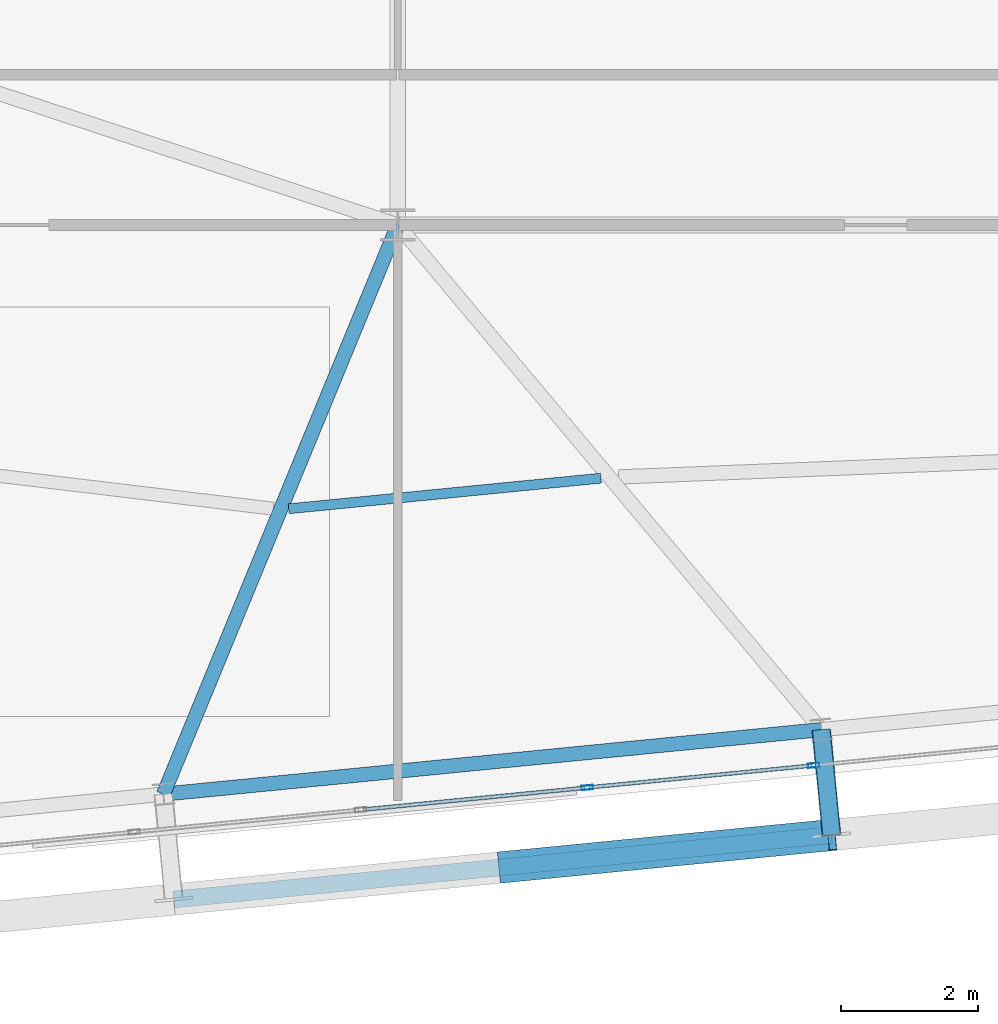
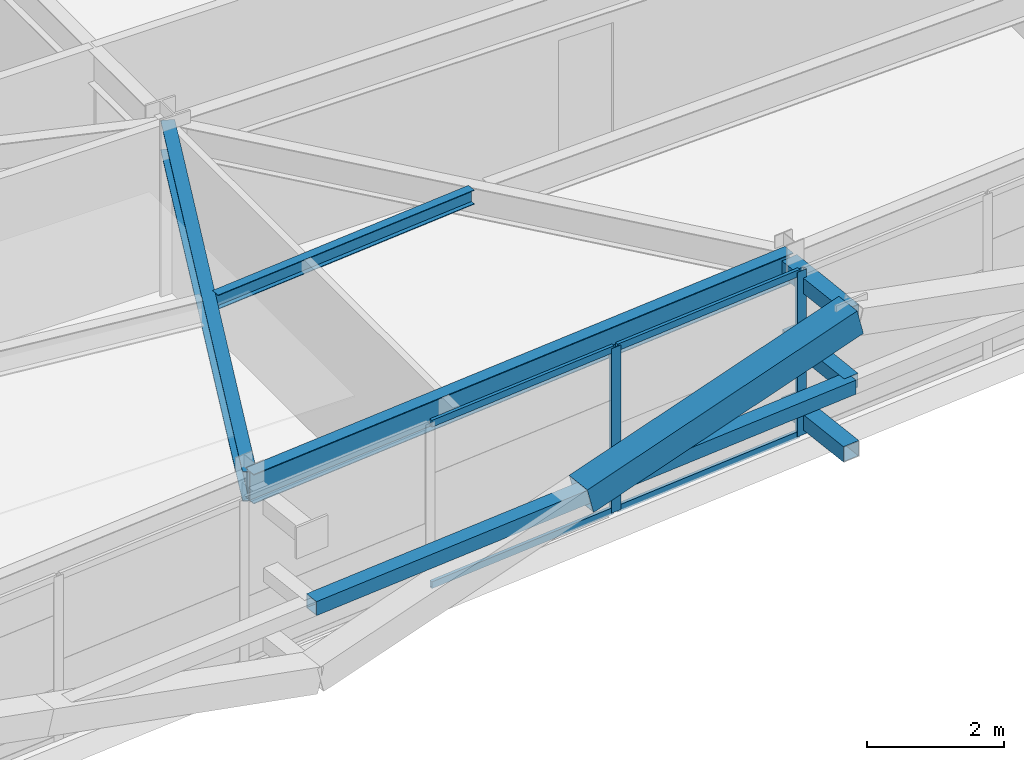
# One storey, part 11 of 51: 11 members, 3 beams, 1 element without a shape of its own.
"""IFC4 building model written with IfcOpenShell, lengths in metres."""

from ifc_helpers import new_model, si_unit, direction, frame, origin, origin_2d, place, context, subcontext, project, spatial, hollow_rectangle, i_section, extrude, source, transform, mapped, material, layer, layer_set, material_profile, profile_set, type_object, element, aggregate, save


model = new_model("IFC4")

# Units and contexts
model_context = context("Model", 3, precision=1e-05, world=origin(), true_north=direction((0.0, 1.0)))
body_context = subcontext(model_context, "Body", "Model", "MODEL_VIEW")
ifc_project = project(units=[si_unit("LENGTHUNIT", "METRE"), si_unit("AREAUNIT", "SQUARE_METRE"), si_unit("VOLUMEUNIT", "CUBIC_METRE"), si_unit("PLANEANGLEUNIT", "RADIAN"), si_unit("MASSUNIT", "GRAM", prefix="KILO")], contexts=[model_context])

# Site, building, storey
site_placement = place(None, origin())
site = spatial("IfcSite", under=ifc_project, at=site_placement, CompositionType="ELEMENT")
building_placement = place(site_placement, origin())
building = spatial("IfcBuilding", under=site, at=building_placement, Name="Taldren Reach Tower", CompositionType="ELEMENT")
storey_placement = place(building_placement, frame((0.0, 0.0, 65.10009765625)))
storey = spatial("IfcBuildingStorey", under=building, at=storey_placement, Name="L19", CompositionType="ELEMENT", Elevation=65.10009765625)

# Beams
ifc_material_1 = material(Name="Steel Gr 350 (350PLUS)", Category="steel")
ifc_material_profile_1 = material_profile(ifc_material_1, i_section(OverallWidth=0.208984375, OverallDepth=0.528076171875, WebThickness=0.009521484375, FlangeThickness=0.01318359375, at=origin_2d()), Name="530UB82.0")
ifc_profile_set_1 = profile_set([ifc_material_profile_1], Name="Steel Gr 350 (350PLUS)")
beam_type_1 = type_object("IfcBeamType", Name="SP-UB530B", PredefinedType="SPANDREL", material=ifc_profile_set_1)
shared_shape_1 = source(origin(), body_context, "Body", "SweptSolid", [
    extrude(i_section(OverallWidth=0.208984375, OverallDepth=0.528076171875, WebThickness=0.009521484375, FlangeThickness=0.01318359375, at=origin_2d()), origin(), (0.0, 0.0, 1.0), 9.679931640625),
])
beam_1_placement = place(storey_placement, frame((24.56787109375, 0.86474609375, 2.666015625), z_axis=(0.995227612658, 0.097580730699, 0.0), x_axis=(-0.097580730699, 0.995227612658, 0.0)))
element("IfcBeam", 1, at=beam_1_placement, inside=storey, type_object=beam_type_1, Name="Perimeter spandrel B2 S2-S3 L19", PredefinedType="SPANDREL", context=body_context, shape_type="MappedRepresentation", body=[
    mapped(shared_shape_1, transform((0.0, 0.0, 0.0), scale=1.0)),
])
ifc_material_profile_2 = material_profile(ifc_material_1, i_section(OverallWidth=0.208984375, OverallDepth=0.532958984375, WebThickness=0.01025390625, FlangeThickness=0.015625, at=origin_2d()), Name="530UB92.4")
ifc_profile_set_2 = profile_set([ifc_material_profile_2], Name="Steel Gr 350 (350PLUS)")
beam_type_2 = type_object("IfcBeamType", Name="BM-UB530A", PredefinedType="BEAM", material=ifc_profile_set_2)
shared_shape_2 = source(origin(), body_context, "Body", "SweptSolid", [
    extrude(i_section(OverallWidth=0.208984375, OverallDepth=0.532958984375, WebThickness=0.01025390625, FlangeThickness=0.015625, at=origin_2d()), origin(), (0.0, 0.0, 1.0), 9.01416015625),
])
beam_2_placement = place(storey_placement, frame((28.0, 9.199951171875, 2.663330078125), z_axis=(-0.380748443035, -0.924678659387, 0.0), x_axis=(0.924678659387, -0.380748443035, 0.0)))
element("IfcBeam", 2, at=beam_2_placement, inside=storey, type_object=beam_type_2, Name="Primary floor girder B2-S2 L19", PredefinedType="BEAM", context=body_context, shape_type="MappedRepresentation", body=[
    mapped(shared_shape_2, transform((0.0, 0.0, 0.0), scale=1.0)),
])
ifc_material_2 = material(Name="Steel Gr 300 (300PLUS, 300 MPa)", Category="steel")
ifc_material_profile_3 = material_profile(ifc_material_2, i_section(OverallWidth=0.14599609375, OverallDepth=0.256103515625, WebThickness=0.00634765625, FlangeThickness=0.010986328125, at=origin_2d()), Name="250UB37.3")
ifc_profile_set_3 = profile_set([ifc_material_profile_3], Name="Steel Gr 300 (300PLUS, 300 MPa)")
beam_type_3 = type_object("IfcBeamType", Name="JS-UB250", PredefinedType="JOIST", material=ifc_profile_set_3)
shared_shape_3 = source(origin(), body_context, "Body", "SweptSolid", [
    extrude(i_section(OverallWidth=0.14599609375, OverallDepth=0.256103515625, WebThickness=0.00634765625, FlangeThickness=0.010986328125, at=origin_2d()), origin(), (0.0, 0.0, 1.0), 4.594970703125),
])
beam_3_placement = place(storey_placement, frame((26.40185546875, 5.0439453125, 2.802001953125), z_axis=(0.995230447096, 0.097551817888, 0.0), x_axis=(-0.097551817888, 0.995230447096, 0.0)))
element("IfcBeam", 3, at=beam_3_placement, inside=storey, type_object=beam_type_3, Name="Secondary floor joist B2 J2 L19", PredefinedType="JOIST", context=body_context, shape_type="MappedRepresentation", body=[
    mapped(shared_shape_3, transform((0.0, 0.0, 0.0), scale=1.0)),
])

# Members
ifc_material_3 = material(Name="Steel Gr 450 (C450L0)", Category="steel")
ifc_material_profile_4 = material_profile(ifc_material_3, hollow_rectangle(XDim=0.27490234375, YDim=0.27490234375, WallThickness=0.00927734375, at=origin_2d()), Name="275x275x9.3SHS")
ifc_profile_set_4 = profile_set([ifc_material_profile_4], Name="Steel Gr 450 (C450L0)")
member_type_1 = type_object("IfcMemberType", Name="MB-TIE273", PredefinedType="STRUT", material=ifc_profile_set_4)
shared_shape_4 = source(origin(), body_context, "Body", "SweptSolid", [
    extrude(hollow_rectangle(XDim=0.27490234375, YDim=0.27490234375, WallThickness=0.00927734375, at=origin_2d()), origin(), (0.0, 0.0, 1.0), 1.550048828125),
])
for number, where, z_axis, x_axis, name in (
    (4, (34.20166015625, 1.809326171875, 2.64990234375), (0.097647892962, -0.9952210252, 0.0), (0.9952210252, 0.097647892962, 0.0), "Exoskeleton diaphragm tie strut B2-S3 L19"),
    (5, (34.20166015625, 1.809326171875, 0.219970703125), (0.097647892962, -0.9952210252, 0.0), (0.9952210252, 0.097647892962, 0.0), "Exoskeleton base diaphragm tie strut B2-S3 L19"),
):
    element("IfcMember", number, at=place(storey_placement, frame(where, z_axis=z_axis, x_axis=x_axis)), inside=storey, type_object=member_type_1, Name=name, PredefinedType="STRUT", context=body_context, shape_type="MappedRepresentation", body=[
        mapped(shared_shape_4, transform((0.0, 0.0, 0.0), scale=1.0)),
    ])
ifc_material_profile_5 = material_profile(ifc_material_3, hollow_rectangle(XDim=0.4599609375, YDim=0.4599609375, WallThickness=0.01611328125, at=origin_2d()), Name="460x460x16.0SHS")
ifc_profile_set_5 = profile_set([ifc_material_profile_5], Name="Steel Gr 450 (C450L0)")
member_type_2 = type_object("IfcMemberType", Name="MB-EXO457", PredefinedType="BRACE", material=ifc_profile_set_5)
shared_shape_5 = source(origin(), body_context, "Body", "SweptSolid", [
    extrude(hollow_rectangle(XDim=0.4599609375, YDim=0.4599609375, WallThickness=0.01611328125, at=origin_2d()), origin(), (0.0, 0.0, 1.0), 4.990234375),
])
member_1_placement = place(storey_placement, frame((29.5361328125, -0.20556640625, 1.434814453125), z_axis=(0.965275526283, 0.094619506732, 0.243496010862), x_axis=(-0.097555749586, 0.995230061706, 0.0)))
element("IfcMember", 6, at=member_1_placement, inside=storey, type_object=member_type_2, Name="Exoskeleton Diagrid Brace B2-S2 L19", PredefinedType="BRACE", context=body_context, shape_type="MappedRepresentation", body=[
    mapped(shared_shape_5, transform((0.0, 0.0, 0.0), scale=1.0)),
])
ifc_material_4 = material(Name="Steel Gr 350 (C350L0)", Category="steel")
ifc_material_profile_6 = material_profile(ifc_material_4, hollow_rectangle(XDim=0.25, YDim=0.25, WallThickness=0.010009765625, at=origin_2d()), Name="250x250x10.0SHS")
ifc_profile_set_6 = profile_set([ifc_material_profile_6], Name="Steel Gr 350 (C350L0)")
member_type_3 = type_object("IfcMemberType", Name="MB-POST250", PredefinedType="POST", material=ifc_profile_set_6)
shared_shape_6 = source(origin(), body_context, "Body", "SweptSolid", [
    extrude(hollow_rectangle(XDim=0.25, YDim=0.25, WallThickness=0.010009765625, at=origin_2d()), origin(), (0.0, 0.0, 1.0), 9.679931640625),
])
member_2_placement = place(storey_placement, frame((24.71923828125, -0.677978515625, 1.434814453125), z_axis=(0.995227612658, 0.097580730699, 0.0), x_axis=(-0.097580730699, 0.995227612658, 0.0)))
element("IfcMember", 7, at=member_2_placement, inside=storey, type_object=member_type_3, Name="Exoskeleton mid-height ring chord B2-S2 L19", PredefinedType="POST", context=body_context, shape_type="MappedRepresentation", body=[
    mapped(shared_shape_6, transform((0.0, 0.0, 0.0), scale=1.0)),
])
shared_shape_7 = source(origin(), body_context, "Body", "SweptSolid", [
    extrude(hollow_rectangle(XDim=0.25, YDim=0.25, WallThickness=0.010009765625, at=origin_2d()), origin(), (0.0, 0.0, 1.0), 1.550048828125),
])
member_3_placement = place(storey_placement, frame((34.20166015625, 1.809326171875, 1.434814453125), z_axis=(0.097647892962, -0.9952210252, 0.0), x_axis=(0.9952210252, 0.097647892962, 0.0)))
element("IfcMember", 8, at=member_3_placement, inside=storey, type_object=member_type_3, Name="Exoskeleton mid-tier diaphragm tie B2-S3 L19", PredefinedType="POST", context=body_context, shape_type="MappedRepresentation", body=[
    mapped(shared_shape_7, transform((0.0, 0.0, 0.0), scale=1.0)),
])

# Curtain wall, members
ifc_material_5 = material(Name="Aluminium and Low-E Glass Unitised System", Category="aluminium")
ifc_layer = layer(ifc_material_5, 0.159912109375)
ifc_layer_set = layer_set([ifc_layer], Name="Aluminium and Low-E Glass Unitised System")
curtain_wall_type = type_object("IfcCurtainWallType", Name="CW-SYS-3", PredefinedType="NOTDEFINED", material=ifc_layer_set)
curtain_wall_placement = place(storey_placement, origin())
curtain_wall = element("IfcCurtainWall", 9, at=curtain_wall_placement, inside=storey, type_object=curtain_wall_type, Name="Unitised curtain wall CW-L19-S", PredefinedType="NOTDEFINED")
ifc_material_6 = material(Name="Anodised Aluminium 6063-T6", Category="aluminium")
ifc_material_profile_7 = material_profile(ifc_material_6, hollow_rectangle(XDim=0.06494140625, YDim=0.1650390625, WallThickness=0.00390625, at=origin_2d()), Name="ALU-165x65x4RHS")
ifc_profile_set_7 = profile_set([ifc_material_profile_7], Name="Anodised Aluminium 6063-T6")
member_type_4 = type_object("IfcMemberType", Name="CW-MUL-165", PredefinedType="MULLION", material=ifc_profile_set_7)
shared_shape_8 = source(origin(), body_context, "Body", "SweptSolid", [
    extrude(hollow_rectangle(XDim=0.06494140625, YDim=0.1650390625, WallThickness=0.00390625, at=origin_2d()), origin(), (0.0, 0.0, 1.0), 2.929931640625),
])
member_4_placement = place(storey_placement, frame((30.77490234375, 0.9609375, 0.0), z_axis=(0.0, 0.0, 1.0), x_axis=(-0.097582999046, 0.995227390247, 0.0)))
member_4 = element("IfcMember", 10, at=member_4_placement, type_object=member_type_4, Name="CW-3 mullion 6", PredefinedType="MULLION", context=body_context, shape_type="MappedRepresentation", body=[
    mapped(shared_shape_8, transform((0.0, 0.0, 0.0), scale=1.0)),
])
member_5_placement = place(storey_placement, frame((34.09228515625, 1.2861328125, 0.0), z_axis=(0.0, 0.0, 1.0), x_axis=(-0.097582999046, 0.995227390247, 0.0)))
member_5 = element("IfcMember", 11, at=member_5_placement, type_object=member_type_4, Name="CW-3 mullion 7", PredefinedType="MULLION", context=body_context, shape_type="MappedRepresentation", body=[
    mapped(shared_shape_8, transform((0.0, 0.0, 0.0), scale=1.0)),
])
ifc_material_profile_8 = material_profile(ifc_material_6, hollow_rectangle(XDim=0.054931640625, YDim=0.1201171875, WallThickness=0.0029296875, at=origin_2d()), Name="ALU-120x55x3RHS")
ifc_profile_set_8 = profile_set([ifc_material_profile_8], Name="Anodised Aluminium 6063-T6")
member_type_5 = type_object("IfcMemberType", Name="CW-TRN-135", PredefinedType="USERDEFINED", material=ifc_profile_set_8)
shared_shape_9 = source(origin(), body_context, "Body", "SweptSolid", [
    extrude(hollow_rectangle(XDim=0.054931640625, YDim=0.1201171875, WallThickness=0.0029296875, at=origin_2d()), origin(), (0.0, 0.0, 1.0), 3.268310546875),
])
member_6_placement = place(storey_placement, frame((27.48974609375, 0.638671875, 0.02734375), z_axis=(0.995222549564, 0.097632355496, 0.0), x_axis=(-0.097632355496, 0.995222549564, 0.0)))
member_6 = element("IfcMember", 12, at=member_6_placement, type_object=member_type_5, Name="CW-3 transom 5.1", ObjectType="TRANSOM", PredefinedType="USERDEFINED", context=body_context, shape_type="MappedRepresentation", body=[
    mapped(shared_shape_9, transform((0.0, 0.0, 0.0), scale=1.0)),
])
member_7_placement = place(storey_placement, frame((27.48974609375, 0.638671875, 2.90234375), z_axis=(0.995222549564, 0.097632355496, 0.0), x_axis=(-0.097632355496, 0.995222549564, 0.0)))
member_7 = element("IfcMember", 13, at=member_7_placement, type_object=member_type_5, Name="CW-3 transom 5.2", ObjectType="TRANSOM", PredefinedType="USERDEFINED", context=body_context, shape_type="MappedRepresentation", body=[
    mapped(shared_shape_9, transform((0.0, 0.0, 0.0), scale=1.0)),
])
shared_shape_10 = source(origin(), body_context, "Body", "SweptSolid", [
    extrude(hollow_rectangle(XDim=0.054931640625, YDim=0.1201171875, WallThickness=0.0029296875, at=origin_2d()), origin(), (0.0, 0.0, 1.0), 3.2685546875),
])
member_8_placement = place(storey_placement, frame((30.80712890625, 0.964111328125, 0.02734375), z_axis=(0.99523051601, 0.097551114824, 0.0), x_axis=(-0.097551114824, 0.99523051601, 0.0)))
member_8 = element("IfcMember", 14, at=member_8_placement, type_object=member_type_5, Name="CW-3 transom 6.1", ObjectType="TRANSOM", PredefinedType="USERDEFINED", context=body_context, shape_type="MappedRepresentation", body=[
    mapped(shared_shape_10, transform((0.0, 0.0, 0.0), scale=1.0)),
])
member_9_placement = place(storey_placement, frame((30.80712890625, 0.964111328125, 2.90234375), z_axis=(0.99523051601, 0.097551114824, 0.0), x_axis=(-0.097551114824, 0.99523051601, 0.0)))
member_9 = element("IfcMember", 15, at=member_9_placement, type_object=member_type_5, Name="CW-3 transom 6.2", ObjectType="TRANSOM", PredefinedType="USERDEFINED", context=body_context, shape_type="MappedRepresentation", body=[
    mapped(shared_shape_10, transform((0.0, 0.0, 0.0), scale=1.0)),
])
aggregate(curtain_wall, [member_4, member_5, member_6, member_7, member_8, member_9])

save(model, "model.ifc")
